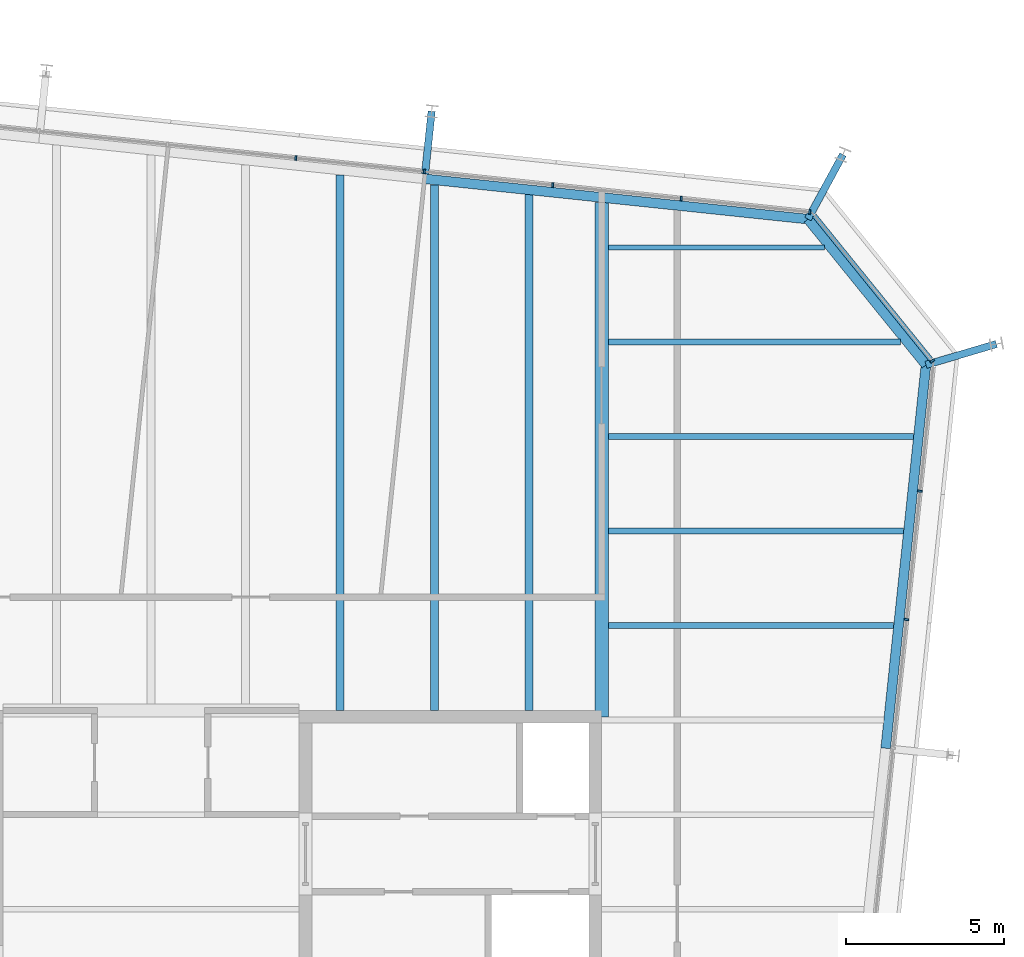
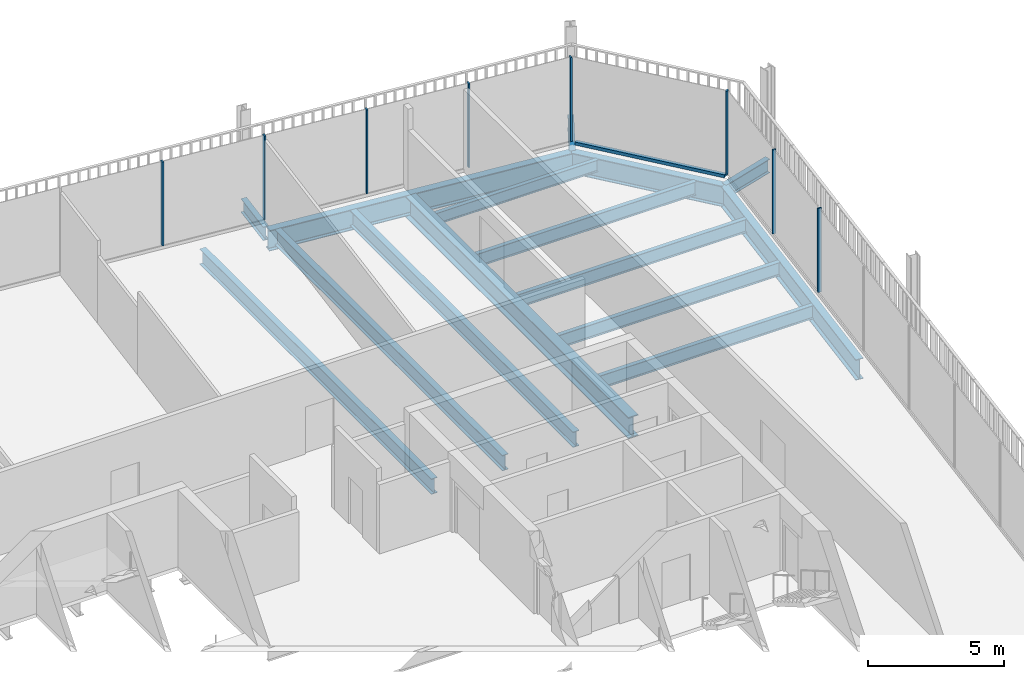
# One storey, part 14 of 19: 15 beams, 9 members, 3 elements without a shape of their own.
"""IFC4 building model written with IfcOpenShell, lengths in metres."""

from ifc_helpers import new_model, si_unit, direction, frame, origin, origin_2d, place, context, subcontext, project, spatial, rectangle, i_section, extrude, material, layer, layer_set, material_profile, profile_set, type_object, element, aggregate, save


model = new_model("IFC4")

# Units and contexts
model_context = context("Model", 3, precision=1e-05, world=origin(), true_north=direction((0.0, 1.0)))
body_context = subcontext(model_context, "Body", "Model", "MODEL_VIEW")
ifc_project = project(units=[si_unit("LENGTHUNIT", "METRE"), si_unit("AREAUNIT", "SQUARE_METRE"), si_unit("VOLUMEUNIT", "CUBIC_METRE"), si_unit("PLANEANGLEUNIT", "RADIAN"), si_unit("MASSUNIT", "GRAM", prefix="KILO")], contexts=[model_context])

# Site, building, storey
site_placement = place(None, origin())
site = spatial("IfcSite", under=ifc_project, at=site_placement, CompositionType="ELEMENT")
building_placement = place(site_placement, origin())
building = spatial("IfcBuilding", under=site, at=building_placement, Name="Millrace Tower", CompositionType="ELEMENT")
storey_placement = place(building_placement, frame((0.0, 0.0, 338.199951171875)))
storey = spatial("IfcBuildingStorey", under=building, at=storey_placement, Name="L78", CompositionType="ELEMENT", Elevation=338.199951171875)

# Curtain wall, members
ifc_material_1 = material(Name="Aluminium and glass", Category="aluminium")
ifc_layer = layer(ifc_material_1, 0.14990234375)
ifc_layer_set = layer_set([ifc_layer], Name="Aluminium and glass")
curtain_wall_type = type_object("IfcCurtainWallType", Name="CW-1 office vision curtain wall", PredefinedType="NOTDEFINED", material=ifc_layer_set)
placement = place(storey_placement, origin())
curtain_wall_1 = element("IfcCurtainWall", 1, at=placement, inside=storey, type_object=curtain_wall_type, Name="Curtain wall E-F04 L78", PredefinedType="NOTDEFINED")
ifc_material_2 = material(Name="Aluminium", Category="aluminium")
ifc_material_profile_1 = material_profile(ifc_material_2, rectangle(XDim=0.06494140625, YDim=0.14990234375, at=origin_2d()))
ifc_profile_set_1 = profile_set([ifc_material_profile_1], Name="Aluminium")
member_type_1 = type_object("IfcMemberType", Name="CW-1 office vision curtain wall mullion", PredefinedType="MULLION", material=ifc_profile_set_1)
member_1_placement = place(storey_placement, frame((23.974853515625, 12.1904296875, 0.14013671875), z_axis=(0.0, 0.0, 1.0), x_axis=(0.104528455196, 0.994521896217, 0.0)))
member_1 = element("IfcMember", 2, at=member_1_placement, type_object=member_type_1, Name="CW1 mullion E-F04.8", PredefinedType="MULLION", context=body_context, shape_type="SweptSolid", body=[
    extrude(rectangle(XDim=0.06494140625, YDim=0.14990234375, at=origin_2d()), origin(), (0.0, 0.0, 1.0), 3.760009765625),
])
member_2_placement = place(storey_placement, frame((24.4033203125, 16.267822265625, 0.14013671875), z_axis=(0.0, 0.0, 1.0), x_axis=(0.104528455196, 0.994521896217, 0.0)))
member_2 = element("IfcMember", 3, at=member_2_placement, type_object=member_type_1, Name="CW1 mullion E-F04.9", PredefinedType="MULLION", context=body_context, shape_type="SweptSolid", body=[
    extrude(rectangle(XDim=0.06494140625, YDim=0.14990234375, at=origin_2d()), origin(), (0.0, 0.0, 1.0), 3.760009765625),
])
aggregate(curtain_wall_1, [member_1, member_2])

# Curtain wall, member
curtain_wall_2 = element("IfcCurtainWall", 4, at=placement, inside=storey, type_object=curtain_wall_type, Name="Curtain wall E-F05 L78", PredefinedType="NOTDEFINED")
member_3_placement = place(storey_placement, frame((24.791748046875, 20.393310546875, 0.14013671875), z_axis=(0.0, 0.0, 1.0), x_axis=(-0.629320278945, 0.777146052237, 0.0)))
member_3 = element("IfcMember", 5, at=member_3_placement, type_object=member_type_1, Name="CW1 mullion E-F05.1", PredefinedType="MULLION", context=body_context, shape_type="SweptSolid", body=[
    extrude(rectangle(XDim=0.06494140625, YDim=0.14990234375, at=origin_2d()), origin(), (0.0, 0.0, 1.0), 3.760009765625),
])

# Curtain wall, members
curtain_wall_3 = element("IfcCurtainWall", 6, at=placement, inside=storey, type_object=curtain_wall_type, Name="Curtain wall E-F06 L78", PredefinedType="NOTDEFINED")
member_4_placement = place(storey_placement, frame((20.902587890625, 25.124755859375, 0.14013671875), z_axis=(0.0, 0.0, 1.0), x_axis=(-0.994521896217, 0.104528455196, 0.0)))
member_4 = element("IfcMember", 7, at=member_4_placement, type_object=member_type_1, Name="CW1 mullion E-F06.1", PredefinedType="MULLION", context=body_context, shape_type="SweptSolid", body=[
    extrude(rectangle(XDim=0.06494140625, YDim=0.14990234375, at=origin_2d()), origin(), (0.0, 0.0, 1.0), 3.760009765625),
])
member_5_placement = place(storey_placement, frame((16.824951171875, 25.553466796875, 0.14013671875), z_axis=(0.0, 0.0, 1.0), x_axis=(-0.994521896217, 0.104528455196, 0.0)))
member_5 = element("IfcMember", 8, at=member_5_placement, type_object=member_type_1, Name="CW1 mullion E-F06.2", PredefinedType="MULLION", context=body_context, shape_type="SweptSolid", body=[
    extrude(rectangle(XDim=0.06494140625, YDim=0.14990234375, at=origin_2d()), origin(), (0.0, 0.0, 1.0), 3.760009765625),
])
member_6_placement = place(storey_placement, frame((12.747314453125, 25.98193359375, 0.14013671875), z_axis=(0.0, 0.0, 1.0), x_axis=(-0.994521896217, 0.104528455196, 0.0)))
member_6 = element("IfcMember", 9, at=member_6_placement, type_object=member_type_1, Name="CW1 mullion E-F06.3", PredefinedType="MULLION", context=body_context, shape_type="SweptSolid", body=[
    extrude(rectangle(XDim=0.06494140625, YDim=0.14990234375, at=origin_2d()), origin(), (0.0, 0.0, 1.0), 3.760009765625),
])
member_7_placement = place(storey_placement, frame((8.669921875, 26.410400390625, 0.14013671875), z_axis=(0.0, 0.0, 1.0), x_axis=(-0.994521896217, 0.104528455196, 0.0)))
member_7 = element("IfcMember", 10, at=member_7_placement, type_object=member_type_1, Name="CW1 mullion E-F06.4", PredefinedType="MULLION", context=body_context, shape_type="SweptSolid", body=[
    extrude(rectangle(XDim=0.06494140625, YDim=0.14990234375, at=origin_2d()), origin(), (0.0, 0.0, 1.0), 3.760009765625),
])
member_8_placement = place(storey_placement, frame((4.59228515625, 26.839111328125, 0.14013671875), z_axis=(0.0, 0.0, 1.0), x_axis=(-0.994521896217, 0.104528455196, 0.0)))
member_8 = element("IfcMember", 11, at=member_8_placement, type_object=member_type_1, Name="CW1 mullion E-F06.5", PredefinedType="MULLION", context=body_context, shape_type="SweptSolid", body=[
    extrude(rectangle(XDim=0.06494140625, YDim=0.14990234375, at=origin_2d()), origin(), (0.0, 0.0, 1.0), 3.760009765625),
])
aggregate(curtain_wall_3, [member_4, member_5, member_6, member_7, member_8])

# Member
ifc_material_3 = material(Name="Aluminium", Category="aluminium")
ifc_material_profile_2 = material_profile(ifc_material_3, rectangle(XDim=0.14990234375, YDim=0.139892578125, at=origin_2d()))
ifc_profile_set_2 = profile_set([ifc_material_profile_2], Name="Aluminium")
member_type_2 = type_object("IfcMemberType", Name="CW-1 office vision curtain wall transom", PredefinedType="USERDEFINED", material=ifc_profile_set_2)
member_9_placement = place(storey_placement, frame((24.749267578125, 20.44580078125, 0.070068359375), z_axis=(-0.629321221277, 0.777145289151, 0.0), x_axis=(-0.777145289151, -0.629321221277, 0.0)))
member_9 = element("IfcMember", 12, at=member_9_placement, type_object=member_type_2, Name="CW1 transom E-F05.1", ObjectType="TRANSOM", PredefinedType="USERDEFINED", context=body_context, shape_type="SweptSolid", body=[
    extrude(rectangle(XDim=0.14990234375, YDim=0.139892578125, at=origin_2d()), origin(), (0.0, 0.0, 1.0), 5.881103515625),
])

aggregate(curtain_wall_2, [member_3, member_9])

# Beams
ifc_material_4 = material(Name="Steel ASTM A992 Grade 50", Category="steel")
ifc_material_profile_3 = material_profile(ifc_material_4, i_section(OverallWidth=0.1650390625, OverallDepth=0.52587890625, WebThickness=0.0087890625, FlangeThickness=0.011474609375, FilletRadius=0.0126953125, at=origin_2d()))
ifc_profile_set_3 = profile_set([ifc_material_profile_3], Name="Steel ASTM A992 Grade 50")
beam_type_1 = type_object("IfcBeamType", Name="Floor beam W21x44", PredefinedType="JOIST", material=ifc_profile_set_3)
beam_1_placement = place(storey_placement, frame((14.509521484375, 24.0, -0.4228515625), z_axis=(1.0, 0.0, 0.0), x_axis=(0.0, 1.0, 0.0)))
element("IfcBeam", 13, at=beam_1_placement, inside=storey, type_object=beam_type_1, Name="BM-E-L78-S1-S034", PredefinedType="JOIST", context=body_context, shape_type="SweptSolid", body=[
    extrude(i_section(OverallWidth=0.1650390625, OverallDepth=0.52587890625, WebThickness=0.0087890625, FlangeThickness=0.011474609375, FilletRadius=0.0126953125, at=origin_2d()), origin(), (0.0, 0.0, 1.0), 6.861572265625),
])
ifc_material_5 = material(Name="Steel ASTM A992 Grade 50", Category="steel")
ifc_material_profile_4 = material_profile(ifc_material_5, i_section(OverallWidth=0.177978515625, OverallDepth=0.599365234375, WebThickness=0.010009765625, FlangeThickness=0.012939453125, FilletRadius=0.012939453125, at=origin_2d()))
ifc_profile_set_4 = profile_set([ifc_material_profile_4], Name="Steel ASTM A992 Grade 50")
beam_type_2 = type_object("IfcBeamType", Name="Floor beam W24x55", PredefinedType="JOIST", material=ifc_profile_set_4)
beam_2_placement = place(storey_placement, frame((14.509521484375, 12.0, -0.459716796875), z_axis=(1.0, 0.0, 0.0), x_axis=(0.0, 1.0, 0.0)))
element("IfcBeam", 14, at=beam_2_placement, inside=storey, type_object=beam_type_2, Name="BM-E-L78-S1-S026", PredefinedType="JOIST", context=body_context, shape_type="SweptSolid", body=[
    extrude(i_section(OverallWidth=0.177978515625, OverallDepth=0.599365234375, WebThickness=0.010009765625, FlangeThickness=0.012939453125, FilletRadius=0.012939453125, at=origin_2d()), origin(), (0.0, 0.0, 1.0), 9.060791015625),
])
beam_3_placement = place(storey_placement, frame((14.509521484375, 15.0, -0.459716796875), z_axis=(1.0, 0.0, 0.0), x_axis=(0.0, 1.0, 0.0)))
element("IfcBeam", 15, at=beam_3_placement, inside=storey, type_object=beam_type_2, Name="BM-E-L78-S1-S028", PredefinedType="JOIST", context=body_context, shape_type="SweptSolid", body=[
    extrude(i_section(OverallWidth=0.177978515625, OverallDepth=0.599365234375, WebThickness=0.010009765625, FlangeThickness=0.012939453125, FilletRadius=0.012939453125, at=origin_2d()), origin(), (0.0, 0.0, 1.0), 9.376220703125),
])
beam_4_placement = place(storey_placement, frame((14.509521484375, 18.0, -0.459716796875), z_axis=(1.0, 0.0, 0.0), x_axis=(0.0, 1.0, 0.0)))
element("IfcBeam", 16, at=beam_4_placement, inside=storey, type_object=beam_type_2, Name="BM-E-L78-S1-S030", PredefinedType="JOIST", context=body_context, shape_type="SweptSolid", body=[
    extrude(i_section(OverallWidth=0.177978515625, OverallDepth=0.599365234375, WebThickness=0.010009765625, FlangeThickness=0.012939453125, FilletRadius=0.012939453125, at=origin_2d()), origin(), (0.0, 0.0, 1.0), 9.69140625),
])
beam_5_placement = place(storey_placement, frame((14.509521484375, 21.0, -0.459716796875), z_axis=(1.0, 0.0, 0.0), x_axis=(0.0, 1.0, 0.0)))
element("IfcBeam", 17, at=beam_5_placement, inside=storey, type_object=beam_type_2, Name="BM-E-L78-S1-S032", PredefinedType="JOIST", context=body_context, shape_type="SweptSolid", body=[
    extrude(i_section(OverallWidth=0.177978515625, OverallDepth=0.599365234375, WebThickness=0.010009765625, FlangeThickness=0.012939453125, FilletRadius=0.012939453125, at=origin_2d()), origin(), (0.0, 0.0, 1.0), 9.282958984375),
])
ifc_material_6 = material(Name="Steel ASTM A992 Grade 50", Category="steel")
ifc_material_profile_5 = material_profile(ifc_material_6, i_section(OverallWidth=0.256591796875, OverallDepth=0.693359375, WebThickness=0.014404296875, FlangeThickness=0.023681640625, FilletRadius=0.01513671875, at=origin_2d()))
ifc_profile_set_5 = profile_set([ifc_material_profile_5], Name="Steel ASTM A992 Grade 50")
beam_type_3 = type_object("IfcBeamType", Name="Floor beam W27x114", PredefinedType="JOIST", material=ifc_profile_set_5)
beam_6_placement = place(storey_placement, frame((6.0, 9.300048828125, -0.506591796875), z_axis=(0.0, 1.0, 0.0), x_axis=(-1.0, 0.0, 0.0)))
element("IfcBeam", 18, at=beam_6_placement, inside=storey, type_object=beam_type_3, Name="BM-E-L78-S1-S048", PredefinedType="JOIST", context=body_context, shape_type="SweptSolid", body=[
    extrude(i_section(OverallWidth=0.256591796875, OverallDepth=0.693359375, WebThickness=0.014404296875, FlangeThickness=0.023681640625, FilletRadius=0.01513671875, at=origin_2d()), origin(), (0.0, 0.0, 1.0), 17.006591796875),
])
beam_7_placement = place(storey_placement, frame((9.0, 9.300048828125, -0.506591796875), z_axis=(0.0, 1.0, 0.0), x_axis=(-1.0, 0.0, 0.0)))
element("IfcBeam", 19, at=beam_7_placement, inside=storey, type_object=beam_type_3, Name="BM-E-L78-S1-S050", PredefinedType="JOIST", context=body_context, shape_type="SweptSolid", body=[
    extrude(i_section(OverallWidth=0.256591796875, OverallDepth=0.693359375, WebThickness=0.014404296875, FlangeThickness=0.023681640625, FilletRadius=0.01513671875, at=origin_2d()), origin(), (0.0, 0.0, 1.0), 16.69140625),
])
beam_8_placement = place(storey_placement, frame((12.0, 9.300048828125, -0.506591796875), z_axis=(0.0, 1.0, 0.0), x_axis=(-1.0, 0.0, 0.0)))
element("IfcBeam", 20, at=beam_8_placement, inside=storey, type_object=beam_type_3, Name="BM-E-L78-S1-S052", PredefinedType="JOIST", context=body_context, shape_type="SweptSolid", body=[
    extrude(i_section(OverallWidth=0.256591796875, OverallDepth=0.693359375, WebThickness=0.014404296875, FlangeThickness=0.023681640625, FilletRadius=0.01513671875, at=origin_2d()), origin(), (0.0, 0.0, 1.0), 16.3759765625),
])
ifc_material_7 = material(Name="Steel ASTM A992 Grade 50", Category="steel")
ifc_material_profile_6 = material_profile(ifc_material_7, i_section(OverallWidth=0.424072265625, OverallDepth=0.947509765625, WebThickness=0.02392578125, FlangeThickness=0.042724609375, FilletRadius=0.024169921875, at=origin_2d()))
ifc_profile_set_6 = profile_set([ifc_material_profile_6], Name="Steel ASTM A992 Grade 50")
beam_type_4 = type_object("IfcBeamType", Name="Girder medium span W36x302", PredefinedType="BEAM", material=ifc_profile_set_6)
beam_9_placement = place(storey_placement, frame((14.300048828125, 9.092041015625, -0.633544921875), z_axis=(0.0, 1.0, 0.0), x_axis=(-1.0, 0.0, 0.0)))
element("IfcBeam", 21, at=beam_9_placement, inside=storey, type_object=beam_type_4, Name="BM-E-L78-S1-G056", PredefinedType="BEAM", context=body_context, shape_type="SweptSolid", body=[
    extrude(i_section(OverallWidth=0.424072265625, OverallDepth=0.947509765625, WebThickness=0.02392578125, FlangeThickness=0.042724609375, FilletRadius=0.024169921875, at=origin_2d()), origin(), (0.0, 0.0, 1.0), 16.34228515625),
])
ifc_material_8 = material(Name="Steel ASTM A992 Grade 50", Category="steel")
ifc_material_profile_7 = material_profile(ifc_material_8, i_section(OverallWidth=0.23046875, OverallDepth=0.6171875, WebThickness=0.01318359375, FlangeThickness=0.022216796875, FilletRadius=0.012939453125, at=origin_2d()))
ifc_profile_set_7 = profile_set([ifc_material_profile_7], Name="Steel ASTM A992 Grade 50")
beam_type_5 = type_object("IfcBeamType", Name="Link beam W24x94", PredefinedType="BEAM", material=ifc_profile_set_7)
beam_10_placement = place(storey_placement, frame((8.6943359375, 26.33251953125, -0.468505859375), z_axis=(0.104494148666, 0.99452550138, 0.0), x_axis=(-0.99452550138, 0.104494148666, 0.0)))
element("IfcBeam", 22, at=beam_10_placement, inside=storey, type_object=beam_type_5, Name="LNK-E-L78-S1-07", PredefinedType="BEAM", context=body_context, shape_type="SweptSolid", body=[
    extrude(i_section(OverallWidth=0.23046875, OverallDepth=0.6171875, WebThickness=0.01318359375, FlangeThickness=0.022216796875, FilletRadius=0.012939453125, at=origin_2d()), origin(), (0.0, 0.0, 1.0), 2.0),
])
for number, where, z_axis, x_axis, name in (
    (23, (20.84765625, 24.900634765625, -0.468505859375), (0.477163510307, 0.87881453358, 0.0), (-0.87881453358, 0.477163510307, 0.0), "LNK-E-L78-S1-08"),
    (24, (24.594482421875, 20.273681640625, -0.468505859375), (0.958815015936, 0.284031275065, 0.0), (-0.284031275065, 0.958815015936, 0.0), "LNK-E-L78-S1-09"),
):
    element("IfcBeam", number, at=place(storey_placement, frame(where, z_axis=z_axis, x_axis=x_axis)), inside=storey, type_object=beam_type_5, Name=name, PredefinedType="BEAM", context=body_context, shape_type="SweptSolid", body=[
        extrude(i_section(OverallWidth=0.23046875, OverallDepth=0.6171875, WebThickness=0.01318359375, FlangeThickness=0.022216796875, FilletRadius=0.012939453125, at=origin_2d()), origin(), (0.0, 0.0, 1.0), 2.3310546875),
    ])
ifc_material_9 = material(Name="Steel ASTM A992 Grade 50", Category="steel")
ifc_material_profile_8 = material_profile(ifc_material_9, i_section(OverallWidth=0.307373046875, OverallDepth=0.927001953125, WebThickness=0.01953125, FlangeThickness=0.031982421875, FilletRadius=0.01904296875, at=origin_2d()))
ifc_profile_set_8 = profile_set([ifc_material_profile_8], Name="Steel ASTM A992 Grade 50")
beam_type_6 = type_object("IfcBeamType", Name="Ring beam medium span W36x194", PredefinedType="SPANDREL", material=ifc_profile_set_8)
for number, where, z_axis, x_axis, name in (
    (25, (8.67822265625, 26.1796875, -0.62353515625), (0.994521948696, -0.104527955888, 0.0), (0.104527955888, 0.994521948696, 0.0), "RNG-E-L78-S1-07"),
    (26, (24.594482421875, 20.273681640625, -0.62353515625), (-0.104527955888, -0.994521948696, 0.0), (0.994521948696, -0.104527955888, 0.0), "RNG-E-L78-S1-09"),
):
    element("IfcBeam", number, at=place(storey_placement, frame(where, z_axis=z_axis, x_axis=x_axis)), inside=storey, type_object=beam_type_6, Name=name, PredefinedType="SPANDREL", context=body_context, shape_type="SweptSolid", body=[
        extrude(i_section(OverallWidth=0.307373046875, OverallDepth=0.927001953125, WebThickness=0.01953125, FlangeThickness=0.031982421875, FilletRadius=0.01904296875, at=origin_2d()), origin(), (0.0, 0.0, 1.0), 12.236572265625),
    ])
ifc_material_10 = material(Name="Steel ASTM A992 Grade 50", Category="steel")
ifc_material_profile_9 = material_profile(ifc_material_10, i_section(OverallWidth=0.307373046875, OverallDepth=0.927001953125, WebThickness=0.01953125, FlangeThickness=0.031982421875, FilletRadius=0.01904296875, at=origin_2d()))
ifc_profile_set_9 = profile_set([ifc_material_profile_9], Name="Steel ASTM A992 Grade 50")
beam_type_7 = type_object("IfcBeamType", Name="Ring beam short span W36x194", PredefinedType="SPANDREL", material=ifc_profile_set_9)
beam_11_placement = place(storey_placement, frame((20.84765625, 24.900634765625, -0.62353515625), z_axis=(0.629319722443, -0.777146502883, 0.0), x_axis=(0.777146502883, 0.629319722443, 0.0)))
element("IfcBeam", 27, at=beam_11_placement, inside=storey, type_object=beam_type_7, Name="RNG-E-L78-S1-08", PredefinedType="SPANDREL", context=body_context, shape_type="SweptSolid", body=[
    extrude(i_section(OverallWidth=0.307373046875, OverallDepth=0.927001953125, WebThickness=0.01953125, FlangeThickness=0.031982421875, FilletRadius=0.01904296875, at=origin_2d()), origin(), (0.0, 0.0, 1.0), 5.953857421875),
])

save(model, "model.ifc")
